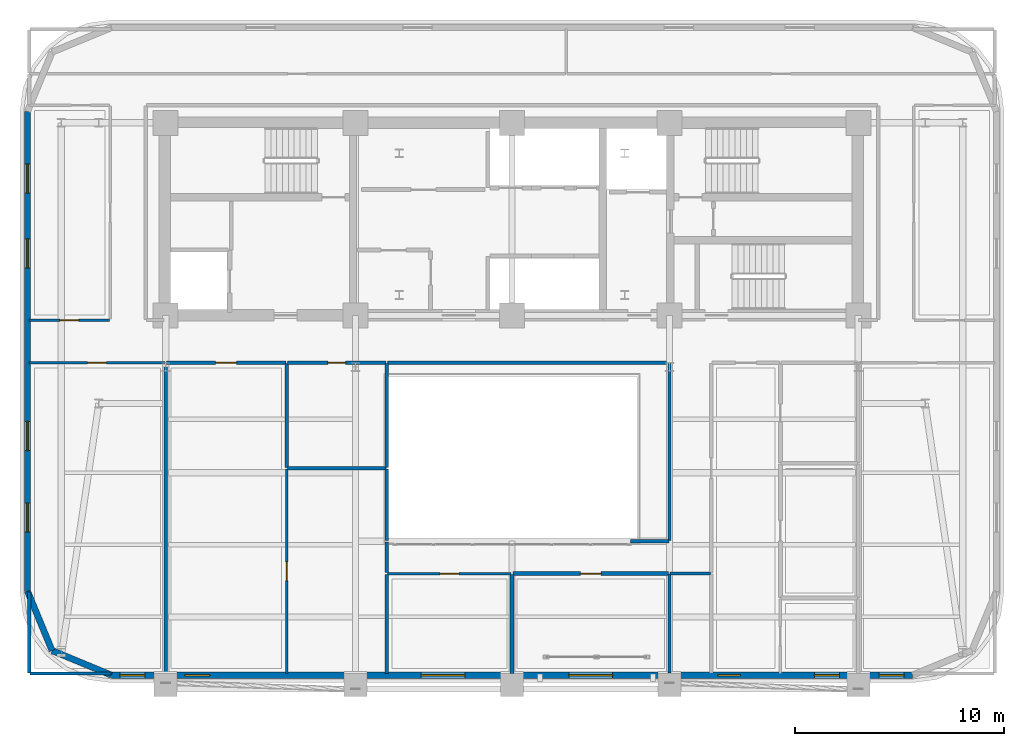
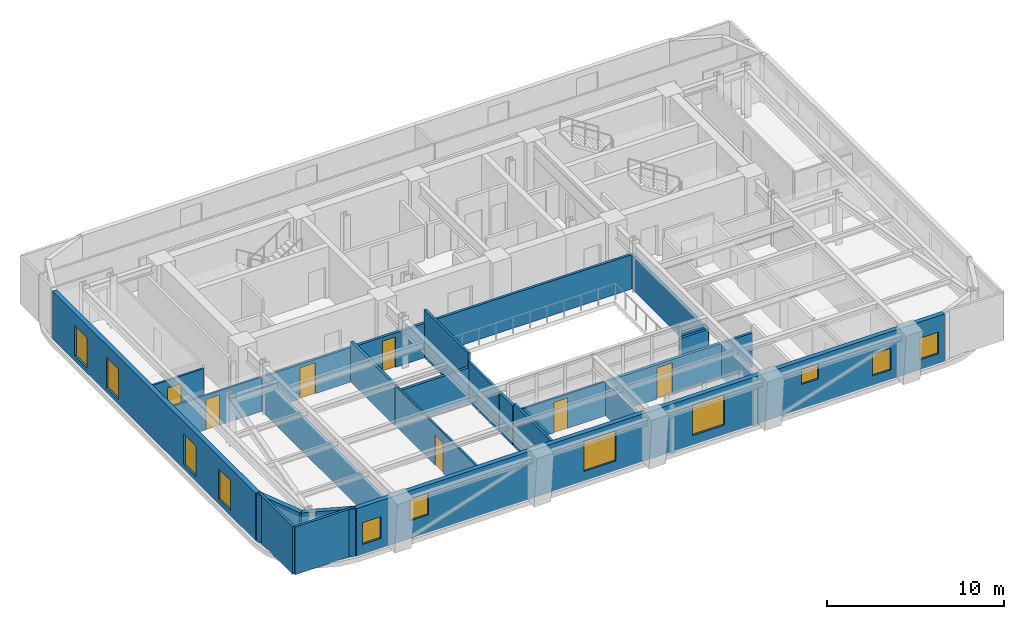
# One storey, part 6 of 13: 26 walls, 11 windows, 7 doors, 18 openings.
"""IFC4 building model written with IfcOpenShell, lengths in metres."""

from ifc_helpers import new_model, si_unit, direction, frame, frame_2d, origin, place, context, subcontext, project, spatial, rectangle, extrude, material, layer, layer_set, type_object, element, fill, save


model = new_model("IFC4")

# Units and contexts
model_context = context("Model", 3, precision=1e-05, world=origin(), true_north=direction((0.0, 1.0)))
body_context = subcontext(model_context, "Body", "Model", "MODEL_VIEW")
ifc_project = project(units=[si_unit("LENGTHUNIT", "METRE"), si_unit("AREAUNIT", "SQUARE_METRE"), si_unit("VOLUMEUNIT", "CUBIC_METRE"), si_unit("PLANEANGLEUNIT", "RADIAN"), si_unit("MASSUNIT", "GRAM", prefix="KILO")], contexts=[model_context])

# Site, building, storey
site_placement = place(None, origin())
site = spatial("IfcSite", under=ifc_project, at=site_placement, CompositionType="ELEMENT")
building_placement = place(site_placement, origin())
building = spatial("IfcBuilding", under=site, at=building_placement, Name="Zarnavel Station Tower", CompositionType="ELEMENT")
storey_placement = place(building_placement, frame((0.0, 0.0, 176.75)))
storey = spatial("IfcBuildingStorey", under=building, at=storey_placement, Name="L48", CompositionType="ELEMENT", Elevation=176.75)

# Wall, openings, windows
ifc_material_1 = material(Name="Precast concrete C45/55 (Dark Basalt Finish)", Category="masonry")
ifc_layer_1 = layer(ifc_material_1, 0.300048828125)
ifc_layer_set_1 = layer_set([ifc_layer_1], Name="EW_BASALT_300")
wall_type_1 = type_object("IfcWallType", Name="EW_BASALT_300", PredefinedType="SOLIDWALL", material=ifc_layer_set_1)
wall_1_placement = place(storey_placement, frame((5.580078125, 14.60009765625, 0.0), z_axis=(0.0, 0.0, 1.0), x_axis=(0.0, 1.0, 0.0)))
wall_1 = element("IfcWall", 1, at=wall_1_placement, inside=storey, type_object=wall_type_1, Name="L48 Exterior Basalt Masonry Frame Wall 09", PredefinedType="SOLIDWALL", context=body_context, shape_type="SweptSolid", body=[
    extrude(rectangle(XDim=23.0, YDim=0.300048828125, at=frame_2d((11.5, 0.0))), origin(), (0.0, 0.0, 1.0), 3.2900390625),
])
opening_1_placement = place(wall_1_placement, frame((15.493408203125, 0.0, 0.340087890625)))
opening_1 = element("IfcOpeningElement", 2, at=opening_1_placement, cuts=wall_1, Name="Opening WN04", PredefinedType="OPENING", context=body_context, shape_type="SweptSolid", body=[
    extrude(rectangle(XDim=1.39990234375, YDim=2.10009765625, at=frame_2d((0.699951171875, 1.050048828125))), frame((0.0, 0.159912109375, 0.0), z_axis=(0.0, -1.0, 0.0), x_axis=(1.0, 0.0, 0.0)), (0.0, 0.0, 1.0), 0.320068359375),
])
opening_2_placement = place(wall_1_placement, frame((19.086669921875, 0.0, 0.340087890625)))
opening_2 = element("IfcOpeningElement", 3, at=opening_2_placement, cuts=wall_1, Name="Opening WN04", PredefinedType="OPENING", context=body_context, shape_type="SweptSolid", body=[
    extrude(rectangle(XDim=1.39990234375, YDim=2.10009765625, at=frame_2d((0.699951171875, 1.050048828125))), frame((0.0, 0.159912109375, 0.0), z_axis=(0.0, -1.0, 0.0), x_axis=(1.0, 0.0, 0.0)), (0.0, 0.0, 1.0), 0.320068359375),
])
opening_3_placement = place(wall_1_placement, frame((2.830078125, 0.0, 0.340087890625)))
opening_3 = element("IfcOpeningElement", 4, at=opening_3_placement, cuts=wall_1, Name="Opening WN04", PredefinedType="OPENING", context=body_context, shape_type="SweptSolid", body=[
    extrude(rectangle(XDim=1.39990234375, YDim=2.10009765625, at=frame_2d((0.699951171875, 1.050048828125))), frame((0.0, 0.159912109375, 0.0), z_axis=(0.0, -1.0, 0.0), x_axis=(1.0, 0.0, 0.0)), (0.0, 0.0, 1.0), 0.320068359375),
])
opening_4_placement = place(wall_1_placement, frame((6.739990234375, 0.0, 0.340087890625)))
opening_4 = element("IfcOpeningElement", 5, at=opening_4_placement, cuts=wall_1, Name="Opening WN04", PredefinedType="OPENING", context=body_context, shape_type="SweptSolid", body=[
    extrude(rectangle(XDim=1.39990234375, YDim=2.10009765625, at=frame_2d((0.699951171875, 1.050048828125))), frame((0.0, 0.159912109375, 0.0), z_axis=(0.0, -1.0, 0.0), x_axis=(1.0, 0.0, 0.0)), (0.0, 0.0, 1.0), 0.320068359375),
])
ifc_material_2 = material(Name="Thermally Broken Black Aluminium and Low-E Dark Glass", Category="aluminium")
window_type_1 = type_object("IfcWindowType", Name="WN_1400x2100", PartitioningType="DOUBLE_PANEL_VERTICAL", PredefinedType="WINDOW", material=ifc_material_2)
window_1_placement = place(opening_1_placement, origin())
window_1 = element("IfcWindow", 6, at=window_1_placement, inside=storey, type_object=window_type_1, Name="L48 Recessed Facade Window 01", OverallHeight=2.10009765625, OverallWidth=1.39990234375, PartitioningType="SINGLE_PANEL", PredefinedType="WINDOW", context=body_context, shape_type="SweptSolid", body=[
    extrude(rectangle(XDim=1.39990234375, YDim=2.10009765625, at=frame_2d((0.699951171875, 1.050048828125))), frame((0.0, 0.030029296875, 0.0), z_axis=(0.0, -1.0, 0.0), x_axis=(1.0, 0.0, 0.0)), (0.0, 0.0, 1.0), 0.06005859375),
])
fill(opening_1, window_1)
window_2_placement = place(opening_2_placement, origin())
window_2 = element("IfcWindow", 7, at=window_2_placement, inside=storey, type_object=window_type_1, Name="L48 Recessed Facade Window 02", OverallHeight=2.10009765625, OverallWidth=1.39990234375, PartitioningType="SINGLE_PANEL", PredefinedType="WINDOW", context=body_context, shape_type="SweptSolid", body=[
    extrude(rectangle(XDim=1.39990234375, YDim=2.10009765625, at=frame_2d((0.699951171875, 1.050048828125))), frame((0.0, 0.030029296875, 0.0), z_axis=(0.0, -1.0, 0.0), x_axis=(1.0, 0.0, 0.0)), (0.0, 0.0, 1.0), 0.06005859375),
])
fill(opening_2, window_2)
window_3_placement = place(opening_3_placement, origin())
window_3 = element("IfcWindow", 8, at=window_3_placement, inside=storey, type_object=window_type_1, Name="L48 Recessed Facade Window 03", OverallHeight=2.10009765625, OverallWidth=1.39990234375, PartitioningType="SINGLE_PANEL", PredefinedType="WINDOW", context=body_context, shape_type="SweptSolid", body=[
    extrude(rectangle(XDim=1.39990234375, YDim=2.10009765625, at=frame_2d((0.699951171875, 1.050048828125))), frame((0.0, 0.030029296875, 0.0), z_axis=(0.0, -1.0, 0.0), x_axis=(1.0, 0.0, 0.0)), (0.0, 0.0, 1.0), 0.06005859375),
])
fill(opening_3, window_3)
window_4_placement = place(opening_4_placement, origin())
window_4 = element("IfcWindow", 9, at=window_4_placement, inside=storey, type_object=window_type_1, Name="L48 Recessed Facade Window 04", OverallHeight=2.10009765625, OverallWidth=1.39990234375, PartitioningType="SINGLE_PANEL", PredefinedType="WINDOW", context=body_context, shape_type="SweptSolid", body=[
    extrude(rectangle(XDim=1.39990234375, YDim=2.10009765625, at=frame_2d((0.699951171875, 1.050048828125))), frame((0.0, 0.030029296875, 0.0), z_axis=(0.0, -1.0, 0.0), x_axis=(1.0, 0.0, 0.0)), (0.0, 0.0, 1.0), 0.06005859375),
])
fill(opening_4, window_4)

# Walls
for number, where, z_axis, x_axis, name in (
    (10, (6.75732421875, 11.75732421875, 0.0), (0.0, 0.0, 1.0), (-0.382608747773, 0.923910464346, 0.0), "L48 Exterior Basalt Masonry Frame Wall 10"),
    (11, (9.60009765625, 10.580078125, 0.0), (0.0, 0.0, 1.0), (-0.923910464346, 0.382608747773, 0.0), "L48 Exterior Basalt Masonry Frame Wall 11"),
):
    element("IfcWall", number, at=place(storey_placement, frame(where, z_axis=z_axis, x_axis=x_axis)), inside=storey, type_object=wall_type_1, Name=name, PredefinedType="SOLIDWALL", context=body_context, shape_type="SweptSolid", body=[
        extrude(rectangle(XDim=3.076904296875, YDim=0.300048828125, at=frame_2d((1.53857421875, 0.0))), origin(), (0.0, 0.0, 1.0), 3.2900390625),
    ])

# Wall, openings, windows
wall_2_placement = place(storey_placement, frame((48.0, 10.580078125, 0.0), z_axis=(0.0, 0.0, 1.0), x_axis=(-1.0, 0.0, 0.0)))
wall_2 = element("IfcWall", 12, at=wall_2_placement, inside=storey, type_object=wall_type_1, Name="L48 Exterior Basalt Masonry Frame Wall 12", PredefinedType="SOLIDWALL", context=body_context, shape_type="SweptSolid", body=[
    extrude(rectangle(XDim=38.39990234375, YDim=0.300048828125, at=frame_2d((19.199951171875, 0.0))), origin(), (0.0, 0.0, 1.0), 3.2900390625),
])
opening_5_placement = place(wall_2_placement, frame((36.79443359375, 0.0, 0.679931640625)))
opening_5 = element("IfcOpeningElement", 13, at=opening_5_placement, cuts=wall_2, Name="Opening WN08", PredefinedType="OPENING", context=body_context, shape_type="SweptSolid", body=[
    extrude(rectangle(XDim=1.199951171875, YDim=1.5, at=frame_2d((0.60009765625, 0.75))), frame((0.0, 0.159912109375, 0.0), z_axis=(0.0, -1.0, 0.0), x_axis=(1.0, 0.0, 0.0)), (0.0, 0.0, 1.0), 0.320068359375),
])
opening_6_placement = place(wall_2_placement, frame((33.69091796875, 0.0, 1.219970703125)))
opening_6 = element("IfcOpeningElement", 14, at=opening_6_placement, cuts=wall_2, Name="Opening WN08", PredefinedType="OPENING", context=body_context, shape_type="SweptSolid", body=[
    extrude(rectangle(XDim=1.199951171875, YDim=1.5, at=frame_2d((0.60009765625, 0.75))), frame((0.0, 0.159912109375, 0.0), z_axis=(0.0, -1.0, 0.0), x_axis=(1.0, 0.0, 0.0)), (0.0, 0.0, 1.0), 0.320068359375),
])
opening_7_placement = place(wall_2_placement, frame((21.45458984375, 0.0, 0.64990234375)))
opening_7 = element("IfcOpeningElement", 15, at=opening_7_placement, cuts=wall_2, Name="Opening WN05", PredefinedType="OPENING", context=body_context, shape_type="SweptSolid", body=[
    extrude(rectangle(XDim=2.10009765625, YDim=2.10009765625, at=frame_2d((1.050048828125, 1.050048828125))), frame((0.0, 0.159912109375, 0.0), z_axis=(0.0, -1.0, 0.0), x_axis=(1.0, 0.0, 0.0)), (0.0, 0.0, 1.0), 0.320068359375),
])
opening_8_placement = place(wall_2_placement, frame((14.375, 0.0, 0.64990234375)))
opening_8 = element("IfcOpeningElement", 16, at=opening_8_placement, cuts=wall_2, Name="Opening WN05", PredefinedType="OPENING", context=body_context, shape_type="SweptSolid", body=[
    extrude(rectangle(XDim=2.10009765625, YDim=2.10009765625, at=frame_2d((1.050048828125, 1.050048828125))), frame((0.0, 0.159912109375, 0.0), z_axis=(0.0, -1.0, 0.0), x_axis=(1.0, 0.0, 0.0)), (0.0, 0.0, 1.0), 0.320068359375),
])
opening_9_placement = place(wall_2_placement, frame((8.25, 0.0, 1.679931640625)))
opening_9 = element("IfcOpeningElement", 17, at=opening_9_placement, cuts=wall_2, Name="Opening WN09", PredefinedType="OPENING", context=body_context, shape_type="SweptSolid", body=[
    extrude(rectangle(XDim=1.10009765625, YDim=1.050048828125, at=frame_2d((0.550048828125, 0.52490234375))), frame((0.0, 0.159912109375, 0.0), z_axis=(0.0, -1.0, 0.0), x_axis=(1.0, 0.0, 0.0)), (0.0, 0.0, 1.0), 0.320068359375),
])
opening_10_placement = place(wall_2_placement, frame((3.509033203125, 0.0, 0.64990234375)))
opening_10 = element("IfcOpeningElement", 18, at=opening_10_placement, cuts=wall_2, Name="Opening WN08", PredefinedType="OPENING", context=body_context, shape_type="SweptSolid", body=[
    extrude(rectangle(XDim=1.199951171875, YDim=1.5, at=frame_2d((0.60009765625, 0.75))), frame((0.0, 0.159912109375, 0.0), z_axis=(0.0, -1.0, 0.0), x_axis=(1.0, 0.0, 0.0)), (0.0, 0.0, 1.0), 0.320068359375),
])
opening_11_placement = place(wall_2_placement, frame((0.405517578125, 0.0, 0.679931640625)))
opening_11 = element("IfcOpeningElement", 19, at=opening_11_placement, cuts=wall_2, Name="Opening WN08", PredefinedType="OPENING", context=body_context, shape_type="SweptSolid", body=[
    extrude(rectangle(XDim=1.199951171875, YDim=1.5, at=frame_2d((0.60009765625, 0.75))), frame((0.0, 0.159912109375, 0.0), z_axis=(0.0, -1.0, 0.0), x_axis=(1.0, 0.0, 0.0)), (0.0, 0.0, 1.0), 0.320068359375),
])
ifc_material_3 = material(Name="Thermally Broken Black Aluminium and Low-E Dark Glass", Category="aluminium")
window_type_2 = type_object("IfcWindowType", Name="WN_1100x1050", PartitioningType="SINGLE_PANEL", PredefinedType="WINDOW", material=ifc_material_3)
window_5_placement = place(opening_9_placement, origin())
window_5 = element("IfcWindow", 20, at=window_5_placement, inside=storey, type_object=window_type_2, Name="L48 Recessed Facade Window 05", OverallHeight=1.050048828125, OverallWidth=1.10009765625, PartitioningType="SINGLE_PANEL", PredefinedType="WINDOW", context=body_context, shape_type="SweptSolid", body=[
    extrude(rectangle(XDim=1.10009765625, YDim=1.050048828125, at=frame_2d((0.550048828125, 0.52490234375))), frame((0.0, 0.030029296875, 0.0), z_axis=(0.0, -1.0, 0.0), x_axis=(1.0, 0.0, 0.0)), (0.0, 0.0, 1.0), 0.06005859375),
])
fill(opening_9, window_5)
ifc_material_4 = material(Name="Thermally Broken Black Aluminium and Low-E Dark Glass", Category="aluminium")
window_type_3 = type_object("IfcWindowType", Name="WN_1200x1500", PartitioningType="SINGLE_PANEL", PredefinedType="WINDOW", material=ifc_material_4)
window_6_placement = place(opening_5_placement, origin())
window_6 = element("IfcWindow", 21, at=window_6_placement, inside=storey, type_object=window_type_3, Name="L48 Recessed Facade Window 01", OverallHeight=1.5, OverallWidth=1.199951171875, PartitioningType="SINGLE_PANEL", PredefinedType="WINDOW", context=body_context, shape_type="SweptSolid", body=[
    extrude(rectangle(XDim=1.199951171875, YDim=1.5, at=frame_2d((0.60009765625, 0.75))), frame((0.0, 0.030029296875, 0.0), z_axis=(0.0, -1.0, 0.0), x_axis=(1.0, 0.0, 0.0)), (0.0, 0.0, 1.0), 0.06005859375),
])
fill(opening_5, window_6)
window_7_placement = place(opening_6_placement, origin())
window_7 = element("IfcWindow", 22, at=window_7_placement, inside=storey, type_object=window_type_3, Name="L48 Recessed Facade Window 02", OverallHeight=1.5, OverallWidth=1.199951171875, PartitioningType="SINGLE_PANEL", PredefinedType="WINDOW", context=body_context, shape_type="SweptSolid", body=[
    extrude(rectangle(XDim=1.199951171875, YDim=1.5, at=frame_2d((0.60009765625, 0.75))), frame((0.0, 0.030029296875, 0.0), z_axis=(0.0, -1.0, 0.0), x_axis=(1.0, 0.0, 0.0)), (0.0, 0.0, 1.0), 0.06005859375),
])
fill(opening_6, window_7)
window_8_placement = place(opening_10_placement, origin())
window_8 = element("IfcWindow", 23, at=window_8_placement, inside=storey, type_object=window_type_3, Name="L48 Recessed Facade Window 06", OverallHeight=1.5, OverallWidth=1.199951171875, PartitioningType="SINGLE_PANEL", PredefinedType="WINDOW", context=body_context, shape_type="SweptSolid", body=[
    extrude(rectangle(XDim=1.199951171875, YDim=1.5, at=frame_2d((0.60009765625, 0.75))), frame((0.0, 0.030029296875, 0.0), z_axis=(0.0, -1.0, 0.0), x_axis=(1.0, 0.0, 0.0)), (0.0, 0.0, 1.0), 0.06005859375),
])
fill(opening_10, window_8)
window_9_placement = place(opening_11_placement, origin())
window_9 = element("IfcWindow", 24, at=window_9_placement, inside=storey, type_object=window_type_3, Name="L48 Recessed Facade Window 07", OverallHeight=1.5, OverallWidth=1.199951171875, PartitioningType="SINGLE_PANEL", PredefinedType="WINDOW", context=body_context, shape_type="SweptSolid", body=[
    extrude(rectangle(XDim=1.199951171875, YDim=1.5, at=frame_2d((0.60009765625, 0.75))), frame((0.0, 0.030029296875, 0.0), z_axis=(0.0, -1.0, 0.0), x_axis=(1.0, 0.0, 0.0)), (0.0, 0.0, 1.0), 0.06005859375),
])
fill(opening_11, window_9)
ifc_material_5 = material(Name="Thermally Broken Black Aluminium and Low-E Dark Glass", Category="aluminium")
window_type_4 = type_object("IfcWindowType", Name="WN_2100x2100", PartitioningType="TRIPLE_PANEL_VERTICAL", PredefinedType="WINDOW", material=ifc_material_5)
window_10_placement = place(opening_7_placement, origin())
window_10 = element("IfcWindow", 25, at=window_10_placement, inside=storey, type_object=window_type_4, Name="L48 Recessed Facade Window 03", OverallHeight=2.10009765625, OverallWidth=2.10009765625, PartitioningType="SINGLE_PANEL", PredefinedType="WINDOW", context=body_context, shape_type="SweptSolid", body=[
    extrude(rectangle(XDim=2.10009765625, YDim=2.10009765625, at=frame_2d((1.050048828125, 1.050048828125))), frame((0.0, 0.030029296875, 0.0), z_axis=(0.0, -1.0, 0.0), x_axis=(1.0, 0.0, 0.0)), (0.0, 0.0, 1.0), 0.06005859375),
])
fill(opening_7, window_10)
window_11_placement = place(opening_8_placement, origin())
window_11 = element("IfcWindow", 26, at=window_11_placement, inside=storey, type_object=window_type_4, Name="L48 Recessed Facade Window 04", OverallHeight=2.10009765625, OverallWidth=2.10009765625, PartitioningType="SINGLE_PANEL", PredefinedType="WINDOW", context=body_context, shape_type="SweptSolid", body=[
    extrude(rectangle(XDim=2.10009765625, YDim=2.10009765625, at=frame_2d((1.050048828125, 1.050048828125))), frame((0.0, 0.030029296875, 0.0), z_axis=(0.0, -1.0, 0.0), x_axis=(1.0, 0.0, 0.0)), (0.0, 0.0, 1.0), 0.06005859375),
])
fill(opening_8, window_11)

# Wall, opening, door
ifc_material_6 = material(Name="Gypsum Twin-Stud Acoustic Fire Partition", Category="concrete")
ifc_layer_2 = layer(ifc_material_6, 0.159912109375)
ifc_layer_set_2 = layer_set([ifc_layer_2], Name="PT_DEMISE_160")
wall_type_2 = type_object("IfcWallType", Name="PT_DEMISE_160", PredefinedType="PARTITIONING", material=ifc_layer_set_2)
wall_3_placement = place(storey_placement, frame((12.239990234375, 25.550048828125, 0.0), z_axis=(0.0, 0.0, 1.0), x_axis=(1.0, 0.0, 0.0)))
wall_3 = element("IfcWall", 27, at=wall_3_placement, inside=storey, type_object=wall_type_2, Name="L48 Partition COR-S-L47TRM", PredefinedType="PARTITIONING", context=body_context, shape_type="SweptSolid", body=[
    extrude(rectangle(XDim=5.719970703125, YDim=0.159912109375, at=frame_2d((2.85986328125, 0.0))), origin(), (0.0, 0.0, 1.0), 2.3701171875),
])
opening_12_placement = place(wall_3_placement, frame((2.360107421875, 0.0, 0.0)))
opening_12 = element("IfcOpeningElement", 28, at=opening_12_placement, cuts=wall_3, Name="Opening FD02", PredefinedType="OPENING", context=body_context, shape_type="SweptSolid", body=[
    extrude(rectangle(XDim=1.0, YDim=2.14990234375, at=frame_2d((0.5, 1.074951171875))), frame((0.0, 0.08984375, 0.0), z_axis=(0.0, -1.0, 0.0), x_axis=(1.0, 0.0, 0.0)), (0.0, 0.0, 1.0), 0.179931640625),
])
ifc_material_7 = material(Name="Painted Galvanised Steel and Hardwood Leaf", Category="steel")
door_type_1 = type_object("IfcDoorType", Name="ID_ENTRY_1000", OperationType="NOTDEFINED", PredefinedType="DOOR", material=ifc_material_7)
door_1_placement = place(opening_12_placement, origin())
door_1 = element("IfcDoor", 29, at=door_1_placement, inside=storey, type_object=door_type_1, Name="L48 Door COR-S-L47TRM", OperationType="SINGLE_SWING_LEFT", OverallHeight=2.14990234375, OverallWidth=1.0, PredefinedType="DOOR", context=body_context, shape_type="SweptSolid", body=[
    extrude(rectangle(XDim=1.0, YDim=2.14990234375, at=frame_2d((0.5, 1.074951171875))), frame((0.0, 0.02490234375, 0.0), z_axis=(0.0, -1.0, 0.0), x_axis=(1.0, 0.0, 0.0)), (0.0, 0.0, 1.0), 0.050048828125),
])
fill(opening_12, door_1)

# Walls
wall_4_placement = place(storey_placement, frame((22.800048828125, 15.489990234375, 0.0), z_axis=(0.0, 0.0, 1.0), x_axis=(0.0, 1.0, 0.0)))
element("IfcWall", 30, at=wall_4_placement, inside=storey, type_object=wall_type_2, Name="L48 Partition COR-AS-L47STR", PredefinedType="PARTITIONING", context=body_context, shape_type="SweptSolid", body=[
    extrude(rectangle(XDim=1.469970703125, YDim=0.159912109375, at=frame_2d((0.73486328125, 0.0))), origin(), (0.0, 0.0, 1.0), 2.72998046875),
])
wall_5_placement = place(storey_placement, frame((12.199951171875, 10.659912109375, 0.0), z_axis=(0.0, 0.0, 1.0), x_axis=(0.0, 1.0, 0.0)))
element("IfcWall", 31, at=wall_5_placement, inside=storey, type_object=wall_type_2, Name="L48 Partition L47SPA-L47TRM", PredefinedType="PARTITIONING", context=body_context, shape_type="SweptSolid", body=[
    extrude(rectangle(XDim=14.85009765625, YDim=0.159912109375, at=frame_2d((7.425048828125, 0.0))), origin(), (0.0, 0.0, 1.0), 2.3701171875),
])
wall_6_placement = place(storey_placement, frame((22.800048828125, 10.659912109375, 0.0), z_axis=(0.0, 0.0, 1.0), x_axis=(0.0, 1.0, 0.0)))
element("IfcWall", 32, at=wall_6_placement, inside=storey, type_object=wall_type_2, Name="L48 Partition L47STR-L47DIN", PredefinedType="PARTITIONING", context=body_context, shape_type="SweptSolid", body=[
    extrude(rectangle(XDim=4.75, YDim=0.159912109375, at=frame_2d((2.375, 0.0))), origin(), (0.0, 0.0, 1.0), 2.909912109375),
])
wall_7_placement = place(storey_placement, frame((22.830078125, 25.550048828125, 0.0), z_axis=(0.0, 0.0, 1.0), x_axis=(1.0, 0.0, 0.0)))
element("IfcWall", 33, at=wall_7_placement, inside=storey, type_object=wall_type_2, Name="L48 Enclosure Wall COR-S", PredefinedType="PARTITIONING", context=body_context, shape_type="SweptSolid", body=[
    extrude(rectangle(XDim=13.489990234375, YDim=0.159912109375, at=frame_2d((6.7451171875, 0.0))), origin(), (0.0, 0.0, 1.0), 2.3701171875),
])
wall_8_placement = place(storey_placement, frame((36.3798828125, 15.449951171875, 0.0), z_axis=(0.0, 0.0, 1.0), x_axis=(1.0, 0.0, 0.0)))
element("IfcWall", 34, at=wall_8_placement, inside=storey, type_object=wall_type_2, Name="L48 Enclosure Wall COR-AE", PredefinedType="PARTITIONING", context=body_context, shape_type="SweptSolid", body=[
    extrude(rectangle(XDim=1.940185546875, YDim=0.159912109375, at=frame_2d((0.97021484375, 0.0))), origin(), (0.0, 0.0, 1.0), 2.3701171875),
])
wall_9_placement = place(storey_placement, frame((36.35009765625, 17.030029296875, 0.0), z_axis=(0.0, 0.0, 1.0), x_axis=(0.0, 1.0, 0.0)))
element("IfcWall", 35, at=wall_9_placement, inside=storey, type_object=wall_type_2, Name="L48 Enclosure Wall COR-AE", PredefinedType="PARTITIONING", context=body_context, shape_type="SweptSolid", body=[
    extrude(rectangle(XDim=8.489990234375, YDim=0.159912109375, at=frame_2d((4.2451171875, 0.0))), origin(), (0.0, 0.0, 1.0), 2.3701171875),
])
wall_10_placement = place(storey_placement, frame((34.47998046875, 17.0, 0.0), z_axis=(0.0, 0.0, 1.0), x_axis=(1.0, 0.0, 0.0)))
element("IfcWall", 36, at=wall_10_placement, inside=storey, type_object=wall_type_2, Name="L48 Enclosure Wall COR-AS", PredefinedType="PARTITIONING", context=body_context, shape_type="SweptSolid", body=[
    extrude(rectangle(XDim=1.840087890625, YDim=0.159912109375, at=frame_2d((0.919921875, 0.0))), origin(), (0.0, 0.0, 1.0), 2.3701171875),
])
for number, where, z_axis, x_axis, name in (
    (37, (5.68994140625, 10.659912109375, 0.0), (0.0, 0.0, 1.0), (1.0, 0.0, 0.0), "L48 Enclosure Wall L47SPA"),
    (38, (5.659912109375, 10.68994140625, 0.0), (0.0, 0.0, 1.0), (0.0, 1.0, 0.0), "L48 Enclosure Wall L47SPA"),
):
    element("IfcWall", number, at=place(storey_placement, frame(where, z_axis=z_axis, x_axis=x_axis)), inside=storey, type_object=wall_type_2, Name=name, PredefinedType="PARTITIONING", context=body_context, shape_type="SweptSolid", body=[
        extrude(rectangle(XDim=3.880126953125, YDim=0.159912109375, at=frame_2d((1.93994140625, 0.0))), origin(), (0.0, 0.0, 1.0), 3.2900390625),
    ])
wall_11_placement = place(storey_placement, frame((22.800048828125, 20.530029296875, 0.0), z_axis=(0.0, 0.0, 1.0), x_axis=(0.0, 1.0, 0.0)))
element("IfcWall", 39, at=wall_11_placement, inside=storey, type_object=wall_type_2, Name="L48 Enclosure Wall L47WCA", PredefinedType="PARTITIONING", context=body_context, shape_type="SweptSolid", body=[
    extrude(rectangle(XDim=4.989990234375, YDim=0.159912109375, at=frame_2d((2.4951171875, 0.0))), origin(), (0.0, 0.0, 1.0), 3.2900390625),
])
wall_12_placement = place(storey_placement, frame((22.800048828125, 17.030029296875, 0.0), z_axis=(0.0, 0.0, 1.0), x_axis=(0.0, 1.0, 0.0)))
element("IfcWall", 40, at=wall_12_placement, inside=storey, type_object=wall_type_2, Name="L48 Enclosure Wall L47STR", PredefinedType="PARTITIONING", context=body_context, shape_type="SweptSolid", body=[
    extrude(rectangle(XDim=3.43994140625, YDim=0.159912109375, at=frame_2d((1.719970703125, 0.0))), origin(), (0.0, 0.0, 1.0), 2.72998046875),
])
wall_13_placement = place(storey_placement, frame((36.35009765625, 10.68994140625, 0.0), z_axis=(0.0, 0.0, 1.0), x_axis=(0.0, 1.0, 0.0)))
element("IfcWall", 41, at=wall_13_placement, inside=storey, type_object=wall_type_2, Name="L48 Enclosure Wall L47KIT", PredefinedType="PARTITIONING", context=body_context, shape_type="SweptSolid", body=[
    extrude(rectangle(XDim=4.72998046875, YDim=0.159912109375, at=frame_2d((2.364990234375, 0.0))), origin(), (0.0, 0.0, 1.0), 2.3701171875),
])

# Wall, opening, door
ifc_material_8 = material(Name="Gypsum Metal-Stud Interior Partition", Category="concrete")
ifc_layer_3 = layer(ifc_material_8, 0.1201171875)
ifc_layer_set_3 = layer_set([ifc_layer_3], Name="PT_ROOM_120")
wall_type_3 = type_object("IfcWallType", Name="PT_ROOM_120", PredefinedType="PARTITIONING", material=ifc_layer_set_3)
wall_14_placement = place(storey_placement, frame((5.659912109375, 27.60009765625, 0.0), z_axis=(0.0, 0.0, 1.0), x_axis=(1.0, 0.0, 0.0)))
wall_14 = element("IfcWall", 42, at=wall_14_placement, inside=storey, type_object=wall_type_3, Name="L48 Partition COR-S-FNW", PredefinedType="PARTITIONING", context=body_context, shape_type="SweptSolid", body=[
    extrude(rectangle(XDim=3.85009765625, YDim=0.1201171875, at=frame_2d((1.925048828125, 0.0))), origin(), (0.0, 0.0, 1.0), 2.6201171875),
])
opening_13_placement = place(wall_14_placement, frame((1.47509765625, 0.0, 0.0)))
opening_13 = element("IfcOpeningElement", 43, at=opening_13_placement, cuts=wall_14, Name="Opening ID01", PredefinedType="OPENING", context=body_context, shape_type="SweptSolid", body=[
    extrude(rectangle(XDim=0.89990234375, YDim=2.10009765625, at=frame_2d((0.449951171875, 1.050048828125))), frame((0.0, 0.070068359375, 0.0), z_axis=(0.0, -1.0, 0.0), x_axis=(1.0, 0.0, 0.0)), (0.0, 0.0, 1.0), 0.14013671875),
])
ifc_material_9 = material(Name="Painted Galvanised Steel and Hardwood Leaf", Category="steel")
door_type_2 = type_object("IfcDoorType", Name="ID_ROOM_900", OperationType="NOTDEFINED", PredefinedType="DOOR", material=ifc_material_9)
door_2_placement = place(opening_13_placement, origin())
door_2 = element("IfcDoor", 44, at=door_2_placement, inside=storey, type_object=door_type_2, Name="L48 Door COR-S-FNW", OperationType="SINGLE_SWING_RIGHT", OverallHeight=2.10009765625, OverallWidth=0.89990234375, PredefinedType="DOOR", context=body_context, shape_type="SweptSolid", body=[
    extrude(rectangle(XDim=0.89990234375, YDim=2.10009765625, at=frame_2d((0.449951171875, 1.050048828125))), frame((0.0, 0.02490234375, 0.0), z_axis=(0.0, -1.0, 0.0), x_axis=(1.0, 0.0, 0.0)), (0.0, 0.0, 1.0), 0.050048828125),
])
fill(opening_13, door_2)

wall_15_placement = place(storey_placement, frame((5.659912109375, 25.550048828125, 0.0), z_axis=(0.0, 0.0, 1.0), x_axis=(1.0, 0.0, 0.0)))
wall_15 = element("IfcWall", 45, at=wall_15_placement, inside=storey, type_object=wall_type_3, Name="L48 Partition COR-S-L47SPA", PredefinedType="PARTITIONING", context=body_context, shape_type="SweptSolid", body=[
    extrude(rectangle(XDim=6.5, YDim=0.1201171875, at=frame_2d((3.25, 0.0))), origin(), (0.0, 0.0, 1.0), 2.3701171875),
])
opening_14_placement = place(wall_15_placement, frame((2.800048828125, 0.0, 0.0)))
opening_14 = element("IfcOpeningElement", 46, at=opening_14_placement, cuts=wall_15, Name="Opening ID01", PredefinedType="OPENING", context=body_context, shape_type="SweptSolid", body=[
    extrude(rectangle(XDim=0.89990234375, YDim=2.10009765625, at=frame_2d((0.449951171875, 1.050048828125))), frame((0.0, 0.070068359375, 0.0), z_axis=(0.0, -1.0, 0.0), x_axis=(1.0, 0.0, 0.0)), (0.0, 0.0, 1.0), 0.14013671875),
])
door_3_placement = place(opening_14_placement, origin())
door_3 = element("IfcDoor", 47, at=door_3_placement, inside=storey, type_object=door_type_2, Name="L48 Door COR-S-L47SPA", OperationType="SINGLE_SWING_RIGHT", OverallHeight=2.10009765625, OverallWidth=0.89990234375, PredefinedType="DOOR", context=body_context, shape_type="SweptSolid", body=[
    extrude(rectangle(XDim=0.89990234375, YDim=2.10009765625, at=frame_2d((0.449951171875, 1.050048828125))), frame((0.0, 0.02490234375, 0.0), z_axis=(0.0, -1.0, 0.0), x_axis=(1.0, 0.0, 0.0)), (0.0, 0.0, 1.0), 0.050048828125),
])
fill(opening_14, door_3)

wall_16_placement = place(storey_placement, frame((22.840087890625, 15.449951171875, 0.0), z_axis=(0.0, 0.0, 1.0), x_axis=(1.0, 0.0, 0.0)))
wall_16 = element("IfcWall", 48, at=wall_16_placement, inside=storey, type_object=wall_type_3, Name="L48 Partition COR-AS-L47DIN", PredefinedType="PARTITIONING", context=body_context, shape_type="SweptSolid", body=[
    extrude(rectangle(XDim=5.919921875, YDim=0.1201171875, at=frame_2d((2.9599609375, 0.0))), origin(), (0.0, 0.0, 1.0), 2.3701171875),
])
opening_15_placement = place(wall_16_placement, frame((2.510009765625, 0.0, 0.0)))
opening_15 = element("IfcOpeningElement", 49, at=opening_15_placement, cuts=wall_16, Name="Opening ID01", PredefinedType="OPENING", context=body_context, shape_type="SweptSolid", body=[
    extrude(rectangle(XDim=0.89990234375, YDim=2.10009765625, at=frame_2d((0.449951171875, 1.050048828125))), frame((0.0, 0.070068359375, 0.0), z_axis=(0.0, -1.0, 0.0), x_axis=(1.0, 0.0, 0.0)), (0.0, 0.0, 1.0), 0.14013671875),
])
door_4_placement = place(opening_15_placement, origin())
door_4 = element("IfcDoor", 50, at=door_4_placement, inside=storey, type_object=door_type_2, Name="L48 Door COR-AS-L47DIN", OperationType="SINGLE_SWING_RIGHT", OverallHeight=2.10009765625, OverallWidth=0.89990234375, PredefinedType="DOOR", context=body_context, shape_type="SweptSolid", body=[
    extrude(rectangle(XDim=0.89990234375, YDim=2.10009765625, at=frame_2d((0.449951171875, 1.050048828125))), frame((0.0, 0.02490234375, 0.0), z_axis=(0.0, -1.0, 0.0), x_axis=(1.0, 0.0, 0.0)), (0.0, 0.0, 1.0), 0.050048828125),
])
fill(opening_15, door_4)

wall_17_placement = place(storey_placement, frame((18.0, 10.659912109375, 0.0), z_axis=(0.0, 0.0, 1.0), x_axis=(0.0, 1.0, 0.0)))
wall_17 = element("IfcWall", 51, at=wall_17_placement, inside=storey, type_object=wall_type_3, Name="L48 Partition L47TRM-L47STR", PredefinedType="PARTITIONING", context=body_context, shape_type="SweptSolid", body=[
    extrude(rectangle(XDim=9.800048828125, YDim=0.1201171875, at=frame_2d((4.89990234375, 0.0))), origin(), (0.0, 0.0, 1.0), 2.77001953125),
])
opening_16_placement = place(wall_17_placement, frame((4.449951171875, 0.0, 0.0)))
opening_16 = element("IfcOpeningElement", 52, at=opening_16_placement, cuts=wall_17, Name="Opening ID01", PredefinedType="OPENING", context=body_context, shape_type="SweptSolid", body=[
    extrude(rectangle(XDim=0.89990234375, YDim=2.10009765625, at=frame_2d((0.449951171875, 1.050048828125))), frame((0.0, 0.070068359375, 0.0), z_axis=(0.0, -1.0, 0.0), x_axis=(1.0, 0.0, 0.0)), (0.0, 0.0, 1.0), 0.14013671875),
])
door_5_placement = place(opening_16_placement, origin())
door_5 = element("IfcDoor", 53, at=door_5_placement, inside=storey, type_object=door_type_2, Name="L48 Door L47TRM-L47STR", OperationType="SINGLE_SWING_RIGHT", OverallHeight=2.10009765625, OverallWidth=0.89990234375, PredefinedType="DOOR", context=body_context, shape_type="SweptSolid", body=[
    extrude(rectangle(XDim=0.89990234375, YDim=2.10009765625, at=frame_2d((0.449951171875, 1.050048828125))), frame((0.0, 0.02490234375, 0.0), z_axis=(0.0, -1.0, 0.0), x_axis=(1.0, 0.0, 0.0)), (0.0, 0.0, 1.0), 0.050048828125),
])
fill(opening_16, door_5)

ifc_material_10 = material(Name="Moisture-Resistant Plumbing Chase Wall", Category="concrete")
ifc_layer_4 = layer(ifc_material_10, 0.179931640625)
ifc_layer_set_4 = layer_set([ifc_layer_4], Name="PW_PLUMB_180")
wall_type_4 = type_object("IfcWallType", Name="PW_PLUMB_180", PredefinedType="PLUMBINGWALL", material=ifc_layer_set_4)
wall_18_placement = place(storey_placement, frame((18.0400390625, 25.550048828125, 0.0), z_axis=(0.0, 0.0, 1.0), x_axis=(1.0, 0.0, 0.0)))
wall_18 = element("IfcWall", 54, at=wall_18_placement, inside=storey, type_object=wall_type_4, Name="L48 Partition COR-S-L47WCA", PredefinedType="PLUMBINGWALL", context=body_context, shape_type="SweptSolid", body=[
    extrude(rectangle(XDim=4.719970703125, YDim=0.179931640625, at=frame_2d((2.35986328125, 0.0))), origin(), (0.0, 0.0, 1.0), 2.3701171875),
])
opening_17_placement = place(wall_18_placement, frame((1.93505859375, 0.0, 0.0)))
opening_17 = element("IfcOpeningElement", 55, at=opening_17_placement, cuts=wall_18, Name="Opening ID02", PredefinedType="OPENING", context=body_context, shape_type="SweptSolid", body=[
    extrude(rectangle(XDim=0.85009765625, YDim=2.10009765625, at=frame_2d((0.425048828125, 1.050048828125))), frame((0.0, 0.099853515625, 0.0), z_axis=(0.0, -1.0, 0.0), x_axis=(1.0, 0.0, 0.0)), (0.0, 0.0, 1.0), 0.199951171875),
])
ifc_material_11 = material(Name="Painted Galvanised Steel and Hardwood Leaf", Category="steel")
door_type_3 = type_object("IfcDoorType", Name="ID_BATH_850", OperationType="NOTDEFINED", PredefinedType="DOOR", material=ifc_material_11)
door_6_placement = place(opening_17_placement, origin())
door_6 = element("IfcDoor", 56, at=door_6_placement, inside=storey, type_object=door_type_3, Name="L48 Door COR-S-L47WCA", OperationType="SINGLE_SWING_RIGHT", OverallHeight=2.10009765625, OverallWidth=0.85009765625, PredefinedType="DOOR", context=body_context, shape_type="SweptSolid", body=[
    extrude(rectangle(XDim=0.85009765625, YDim=2.10009765625, at=frame_2d((0.425048828125, 1.050048828125))), frame((0.0, 0.02490234375, 0.0), z_axis=(0.0, -1.0, 0.0), x_axis=(1.0, 0.0, 0.0)), (0.0, 0.0, 1.0), 0.050048828125),
])
fill(opening_17, door_6)

wall_19_placement = place(storey_placement, frame((28.840087890625, 15.449951171875, 0.0), z_axis=(0.0, 0.0, 1.0), x_axis=(1.0, 0.0, 0.0)))
wall_19 = element("IfcWall", 57, at=wall_19_placement, inside=storey, type_object=wall_type_4, Name="L48 Partition COR-AS-L47KIT", PredefinedType="PLUMBINGWALL", context=body_context, shape_type="SweptSolid", body=[
    extrude(rectangle(XDim=7.469970703125, YDim=0.179931640625, at=frame_2d((3.73486328125, 0.0))), origin(), (0.0, 0.0, 1.0), 2.3701171875),
])
opening_18_placement = place(wall_19_placement, frame((3.235107421875, 0.0, 0.0)))
opening_18 = element("IfcOpeningElement", 58, at=opening_18_placement, cuts=wall_19, Name="Opening FD02", PredefinedType="OPENING", context=body_context, shape_type="SweptSolid", body=[
    extrude(rectangle(XDim=1.0, YDim=2.14990234375, at=frame_2d((0.5, 1.074951171875))), frame((0.0, 0.099853515625, 0.0), z_axis=(0.0, -1.0, 0.0), x_axis=(1.0, 0.0, 0.0)), (0.0, 0.0, 1.0), 0.199951171875),
])
door_7_placement = place(opening_18_placement, origin())
door_7 = element("IfcDoor", 59, at=door_7_placement, inside=storey, type_object=door_type_1, Name="L48 Door COR-AS-L47KIT", OperationType="SINGLE_SWING_LEFT", OverallHeight=2.14990234375, OverallWidth=1.0, PredefinedType="DOOR", context=body_context, shape_type="SweptSolid", body=[
    extrude(rectangle(XDim=1.0, YDim=2.14990234375, at=frame_2d((0.5, 1.074951171875))), frame((0.0, 0.02490234375, 0.0), z_axis=(0.0, -1.0, 0.0), x_axis=(1.0, 0.0, 0.0)), (0.0, 0.0, 1.0), 0.050048828125),
])
fill(opening_18, door_7)

# Walls
wall_20_placement = place(storey_placement, frame((18.0, 20.5400390625, 0.0), z_axis=(0.0, 0.0, 1.0), x_axis=(0.0, 1.0, 0.0)))
element("IfcWall", 60, at=wall_20_placement, inside=storey, type_object=wall_type_4, Name="L48 Partition L47TRM-L47WCA", PredefinedType="PLUMBINGWALL", context=body_context, shape_type="SweptSolid", body=[
    extrude(rectangle(XDim=4.969970703125, YDim=0.179931640625, at=frame_2d((2.48486328125, 0.0))), origin(), (0.0, 0.0, 1.0), 2.77001953125),
])
wall_21_placement = place(storey_placement, frame((18.0400390625, 20.5, 0.0), z_axis=(0.0, 0.0, 1.0), x_axis=(1.0, 0.0, 0.0)))
element("IfcWall", 61, at=wall_21_placement, inside=storey, type_object=wall_type_4, Name="L48 Partition L47WCA-L47STR", PredefinedType="PLUMBINGWALL", context=body_context, shape_type="SweptSolid", body=[
    extrude(rectangle(XDim=4.719970703125, YDim=0.179931640625, at=frame_2d((2.35986328125, 0.0))), origin(), (0.0, 0.0, 1.0), 2.3701171875),
])
wall_22_placement = place(storey_placement, frame((28.800048828125, 10.659912109375, 0.0), z_axis=(0.0, 0.0, 1.0), x_axis=(0.0, 1.0, 0.0)))
element("IfcWall", 62, at=wall_22_placement, inside=storey, type_object=wall_type_4, Name="L48 Partition L47DIN-L47KIT", PredefinedType="PLUMBINGWALL", context=body_context, shape_type="SweptSolid", body=[
    extrude(rectangle(XDim=4.75, YDim=0.179931640625, at=frame_2d((2.375, 0.0))), origin(), (0.0, 0.0, 1.0), 2.3701171875),
])

save(model, "model.ifc")
